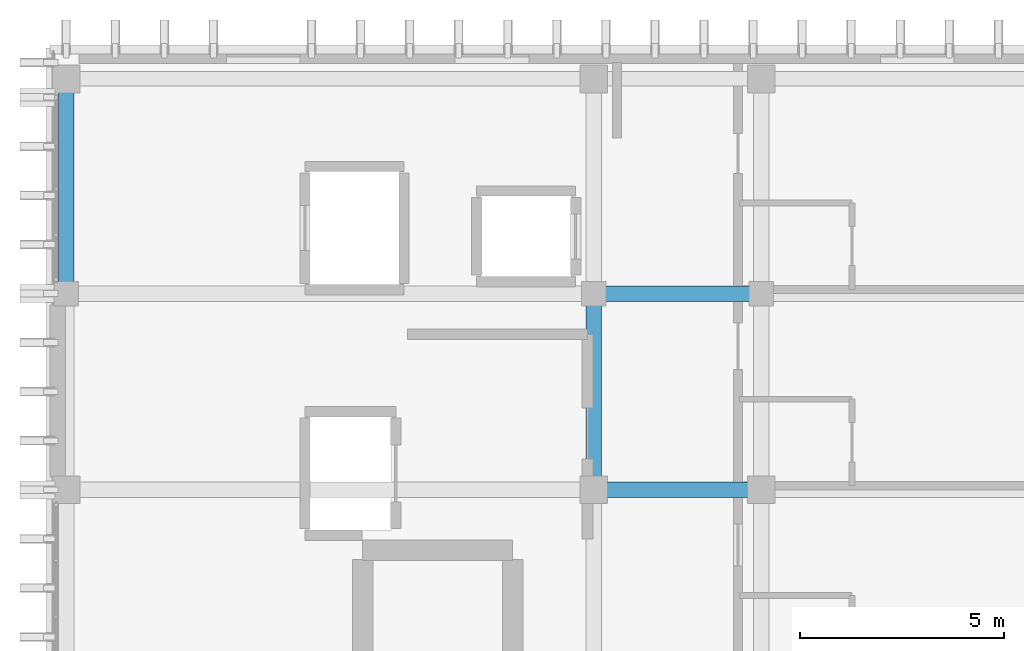
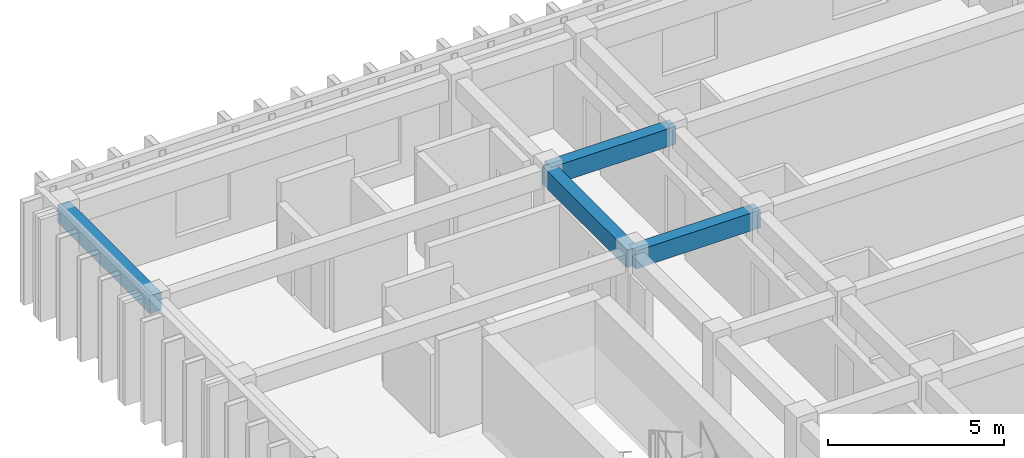
# One storey, part 37 of 53: 4 beams.
"""IFC4 building model written with IfcOpenShell, lengths in metres."""

from ifc_helpers import new_model, si_unit, direction, frame, origin, origin_2d, place, context, subcontext, project, spatial, rectangle, extrude, material, material_profile, profile_set, type_object, element, save


model = new_model("IFC4")

# Units and contexts
model_context = context("Model", 3, precision=1e-05, world=origin(), true_north=direction((0.0, 1.0)))
body_context = subcontext(model_context, "Body", "Model", "MODEL_VIEW")
ifc_project = project(units=[si_unit("LENGTHUNIT", "METRE"), si_unit("AREAUNIT", "SQUARE_METRE"), si_unit("VOLUMEUNIT", "CUBIC_METRE"), si_unit("PLANEANGLEUNIT", "RADIAN"), si_unit("MASSUNIT", "GRAM", prefix="KILO")], contexts=[model_context])

# Site, building, storey
site_placement = place(None, origin())
site = spatial("IfcSite", under=ifc_project, at=site_placement, CompositionType="ELEMENT")
building_placement = place(site_placement, origin())
building = spatial("IfcBuilding", under=site, at=building_placement, Name="Nakhvara Creek Congress Hotel", CompositionType="ELEMENT")
storey_placement = place(building_placement, frame((0.0, 0.0, 35.39990234375)))
storey = spatial("IfcBuildingStorey", under=building, at=storey_placement, Name="L08", CompositionType="ELEMENT", Elevation=35.39990234375)

# Beams
ifc_material = material(Name="Concrete C40/50", Category="concrete")
ifc_material_profile = material_profile(ifc_material, rectangle(XDim=0.3798828125, YDim=0.6201171875, at=origin_2d()), Name="RC-BM 380x620", Category="LoadBearing")
ifc_profile_set = profile_set([ifc_material_profile], Name="Concrete C40/50")
beam_type = type_object("IfcBeamType", Name="BM-RC-380X620", PredefinedType="BEAM", material=ifc_profile_set)
beam_1_placement = place(storey_placement, frame((149.449951171875, 120.0, 3.050048828125), z_axis=(0.0, 1.0, 0.0), x_axis=(-1.0, 0.0, 0.0)))
element("IfcBeam", 1, at=beam_1_placement, inside=storey, type_object=beam_type, Name="Beam B10-L08-2449", PredefinedType="BEAM", context=body_context, shape_type="SweptSolid", body=[
    extrude(rectangle(XDim=0.3798828125, YDim=0.6201171875, at=origin_2d()), origin(), (0.0, 0.0, 1.0), 5.25),
])
beam_2_placement = place(storey_placement, frame((162.35009765625, 115.199951171875, 3.050048828125), z_axis=(1.0, 0.0, 0.0), x_axis=(0.0, 1.0, 0.0)))
element("IfcBeam", 2, at=beam_2_placement, inside=storey, type_object=beam_type, Name="Beam B10-L08-2468", PredefinedType="BEAM", context=body_context, shape_type="SweptSolid", body=[
    extrude(rectangle(XDim=0.3798828125, YDim=0.6201171875, at=origin_2d()), origin(), (0.0, 0.0, 1.0), 4.099853515625),
])
beam_3_placement = place(storey_placement, frame((162.35009765625, 115.199951171875, 3.050048828125), z_axis=(0.0, 1.0, 0.0), x_axis=(-1.0, 0.0, 0.0)))
element("IfcBeam", 3, at=beam_3_placement, inside=storey, type_object=beam_type, Name="Beam B10-L08-2470", PredefinedType="BEAM", context=body_context, shape_type="SweptSolid", body=[
    extrude(rectangle(XDim=0.3798828125, YDim=0.6201171875, at=origin_2d()), origin(), (0.0, 0.0, 1.0), 4.800048828125),
])
beam_4_placement = place(storey_placement, frame((162.35009765625, 120.0, 3.050048828125), z_axis=(1.0, 0.0, 0.0), x_axis=(0.0, 1.0, 0.0)))
element("IfcBeam", 4, at=beam_4_placement, inside=storey, type_object=beam_type, Name="Beam B10-L08-2524", PredefinedType="BEAM", context=body_context, shape_type="SweptSolid", body=[
    extrude(rectangle(XDim=0.3798828125, YDim=0.6201171875, at=origin_2d()), origin(), (0.0, 0.0, 1.0), 4.099853515625),
])

save(model, "model.ifc")
